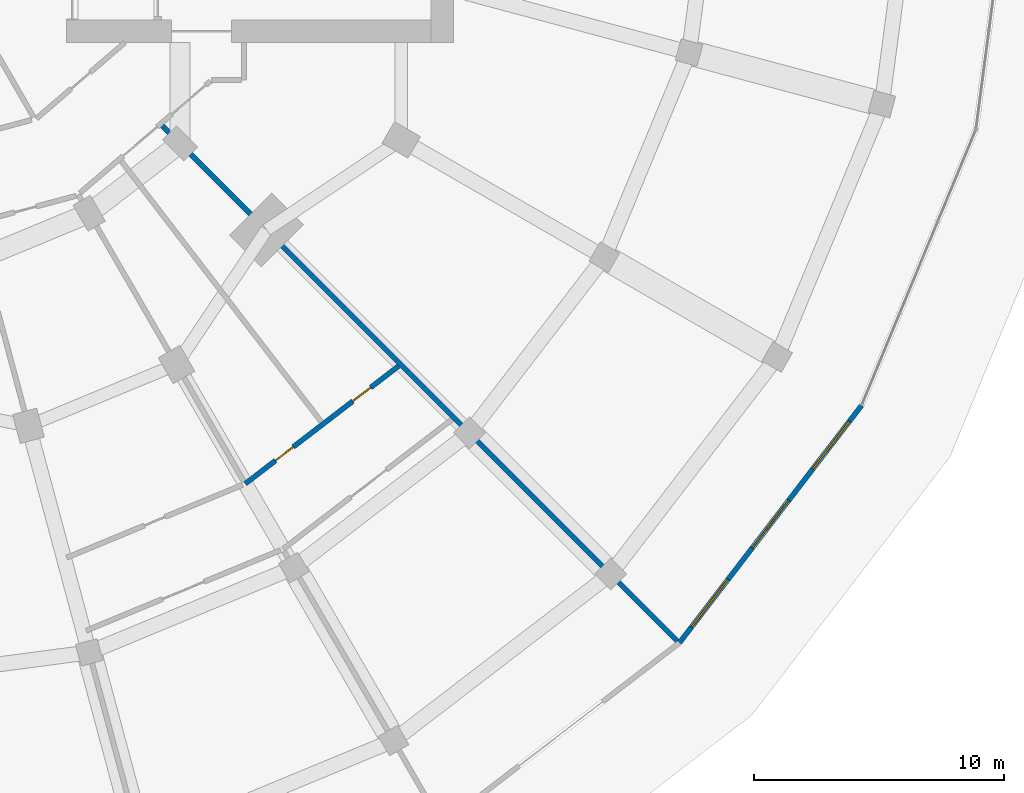
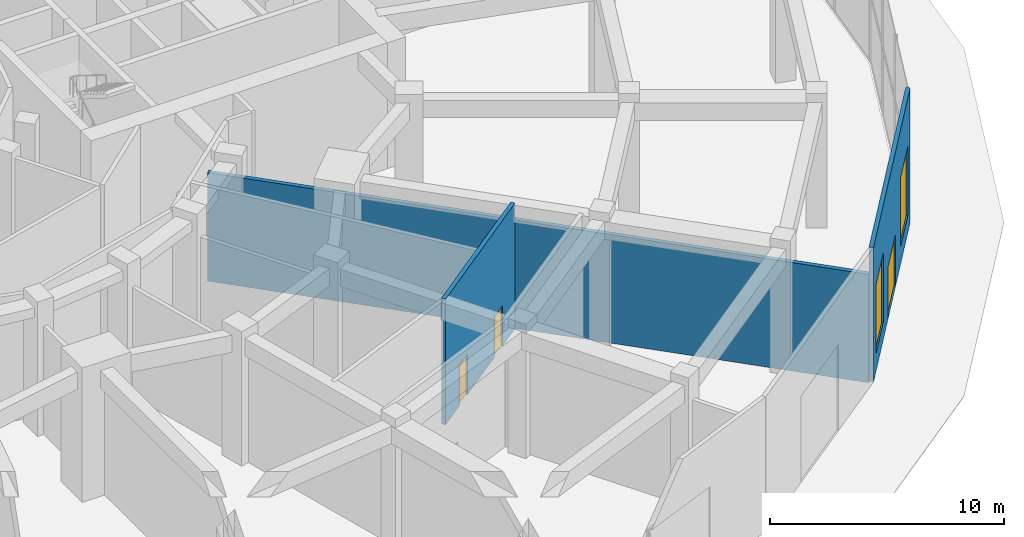
# One storey, part 24 of 31: 3 doors, 3 walls, 2 windows, 5 openings.
"""IFC4 building model written with IfcOpenShell, lengths in metres."""

import ifcopenshell
import ifcopenshell.guid

model = None  # the IFC model being written
_history = None  # IfcOwnerHistory: only IFC2X3 demands one
_inside = {}  # id of a spatial element -> (the spatial element, [elements in it])
_under = {}  # id of a project, library or spatial element -> (it, [spatial elements below it])
_declared = {}  # id of a project -> (the project, [libraries it declares])
_typed = {}  # id of a type object -> (the type object, [elements of that type])
_made_of = {}  # id of a material, layer set ... -> (it, [elements and type objects made of it])


def new_model(schema):
    """Start an empty IFC model of exactly this schema.

    Asked for "IFC4X3", IfcOpenShell would pick the latest addendum, in which some entities
    have other attributes; the version numbers below select the first issue.
    IFC2X3 requires an IfcOwnerHistory on every rooted entity: one is made here for all.
    """
    global model, _history
    if schema == "IFC4X3":
        model = ifcopenshell.file(schema_version=(4, 3, 0, 0))
    else:
        model = ifcopenshell.file(schema=schema)
    _inside.clear()
    _under.clear()
    _declared.clear()
    _typed.clear()
    _made_of.clear()
    _history = None
    if model.schema == "IFC2X3":
        org = make("IfcOrganization", Name="unknown")
        user = make(
            "IfcPersonAndOrganization",
            ThePerson=make("IfcPerson", FamilyName="unknown"),
            TheOrganization=org,
        )
        app = make(
            "IfcApplication",
            ApplicationDeveloper=org,
            Version="unknown",
            ApplicationFullName="unknown",
            ApplicationIdentifier="unknown",
        )
        _history = make(
            "IfcOwnerHistory",
            OwningUser=user,
            OwningApplication=app,
            ChangeAction="ADDED",
            CreationDate=0,
        )
    return model


def make(cls, **values):
    """One entity of the class cls with the attributes given. An attribute that is None is left unset."""
    return model.create_entity(
        cls, **{name: value for name, value in values.items() if value is not None}
    )


def rooted(cls, **values):
    """An entity with a GlobalId (a new one), such as an element, a storey or a relation."""
    return make(cls, GlobalId=ifcopenshell.guid.new(), OwnerHistory=_history, **values)


def si_unit(unit_type, name, prefix=None):
    """IfcSIUnit, for example si_unit("LENGTHUNIT", "METRE", prefix="MILLI")."""
    return make("IfcSIUnit", UnitType=unit_type, Prefix=prefix, Name=name)


def assignment(units):
    """IfcUnitAssignment: the units of a project."""
    return None if units is None else make("IfcUnitAssignment", Units=units)


def point(xyz):
    """IfcCartesianPoint."""
    return None if xyz is None else make("IfcCartesianPoint", Coordinates=xyz)


def direction(xyz):
    """IfcDirection."""
    return None if xyz is None else make("IfcDirection", DirectionRatios=xyz)


def frame(location, z_axis=None, x_axis=None):
    """IfcAxis2Placement3D, a coordinate frame: its origin and axes. An axis left out is left unset."""
    return make(
        "IfcAxis2Placement3D",
        Location=point(location),
        Axis=direction(z_axis),
        RefDirection=direction(x_axis),
    )


def frame_2d(location, x_axis=None):
    """IfcAxis2Placement2D, a coordinate frame in the plane: its origin and x axis."""
    return make(
        "IfcAxis2Placement2D", Location=point(location), RefDirection=direction(x_axis)
    )


def origin():
    """The frame at (0, 0, 0) with its axes left unset."""
    return frame((0.0, 0.0, 0.0))


def place(relative_to, where):
    """IfcLocalPlacement: puts the frame where relative to a parent placement (None: the world)."""
    return make(
        "IfcLocalPlacement", PlacementRelTo=relative_to, RelativePlacement=where
    )


def context(
    kind, dimensions, precision=None, world=None, true_north=None, identifier=None
):
    """IfcGeometricRepresentationContext, for example the 3D "Model" context."""
    return make(
        "IfcGeometricRepresentationContext",
        ContextIdentifier=identifier,
        ContextType=kind,
        CoordinateSpaceDimension=dimensions,
        Precision=precision,
        WorldCoordinateSystem=world,
        TrueNorth=true_north,
    )


def subcontext(parent, identifier, kind, view, scale=None):
    """IfcGeometricRepresentationSubContext, for example "Body" below "Model"."""
    return make(
        "IfcGeometricRepresentationSubContext",
        ContextIdentifier=identifier,
        ContextType=kind,
        ParentContext=parent,
        TargetScale=scale,
        TargetView=view,
    )


def project(units=None, contexts=None):
    """IfcProject with its units and contexts."""
    return rooted(
        "IfcProject",
        Name="project",
        RepresentationContexts=contexts,
        UnitsInContext=assignment(units),
    )


def spatial(cls, under=None, at=None, **own):
    """A site, building, storey or space (cls), placed at a placement, below another one or the project."""
    s = rooted(cls, ObjectPlacement=at, **own)
    if under is not None:
        _under.setdefault(under.id(), (under, []))[1].append(s)
    return s


def profile(cls, at=None, kind="AREA", **sizes):
    """A parametric profile (cls). Its sizes go by their IFC names, for example OverallWidth=200.0."""
    return make(cls, ProfileType=kind, Position=at, **sizes)


def rectangle(**sizes):
    """IfcRectangleProfileDef."""
    return profile("IfcRectangleProfileDef", **sizes)


def extrude(swept, where, along, depth):
    """IfcExtrudedAreaSolid: the profile swept, set in the frame where, extruded along a direction by depth."""
    return make(
        "IfcExtrudedAreaSolid",
        SweptArea=swept,
        Position=where,
        ExtrudedDirection=direction(along),
        Depth=depth,
    )


def shape(context_of_items, identifier, shape_type, items):
    """IfcShapeRepresentation: the items that make up one representation, for example the "Body"."""
    return make(
        "IfcShapeRepresentation",
        ContextOfItems=context_of_items,
        RepresentationIdentifier=identifier,
        RepresentationType=shape_type,
        Items=items,
    )


def material(Name=None, Category=None):
    """IfcMaterial."""
    return make("IfcMaterial", Name=Name, Category=Category)


def layer(
    of_material, thickness, ventilated=None, Name=None, Category=None, Priority=None
):
    """IfcMaterialLayer: one layer of a wall or slab, of a material (None: an air gap)."""
    return make(
        "IfcMaterialLayer",
        Material=of_material,
        LayerThickness=thickness,
        IsVentilated=ventilated,
        Name=Name,
        Category=Category,
        Priority=Priority,
    )


def layer_set(layers, Name=None):
    """IfcMaterialLayerSet."""
    return make("IfcMaterialLayerSet", MaterialLayers=layers, LayerSetName=Name)


def made_of(thing, what):
    """Note that an element or type object is made of a material, layer set ...; save() writes the relation."""
    if what is not None:
        _made_of.setdefault(what.id(), (what, []))[1].append(thing)
    return thing


def type_object(cls, material=None, **own):
    """A type object (cls), such as IfcWallType, which elements share."""
    return made_of(rooted(cls, **own), material)


def element(
    cls,
    number,
    at=None,
    inside=None,
    cuts=None,
    type_object=None,
    material=None,
    context=None,
    identifier="Body",
    shape_type=None,
    held_by="IfcProductDefinitionShape",
    body=None,
    shapes=None,
    **own,
):
    """One element of the class cls, such as IfcWall. Its Tag is "e" and its number.

    at: its placement. inside: the storey or other place that contains it. cuts: it is an
    opening in that element (IfcRelVoidsElement). A single representation is given by context,
    identifier, shape_type and body (its items); several are given by shapes. held_by: the class
    of the entity that holds the representations. save() writes the other relations.
    """
    e = rooted(cls, Tag="e%d" % number, ObjectPlacement=at, **own)
    if body is not None:
        shapes = [shape(context, identifier, shape_type, body)]
    if shapes is not None:
        e.Representation = make(held_by, Representations=shapes)
    if inside is not None:
        _inside.setdefault(inside.id(), (inside, []))[1].append(e)
    if cuts is not None:
        rooted(
            "IfcRelVoidsElement", RelatingBuildingElement=cuts, RelatedOpeningElement=e
        )
    if type_object is not None:
        _typed.setdefault(type_object.id(), (type_object, []))[1].append(e)
    return made_of(e, material)


def fill(opening, filler):
    """IfcRelFillsElement: the door or window that sits in an opening."""
    return rooted(
        "IfcRelFillsElement",
        RelatingOpeningElement=opening,
        RelatedBuildingElement=filler,
    )


def aggregate(whole, parts):
    """IfcRelAggregates: a whole, such as a stair, and the parts it consists of."""
    return rooted("IfcRelAggregates", RelatingObject=whole, RelatedObjects=parts)


def save(model, path):
    """Write the relations noted so far, then the file.

    IfcRelAggregates (storeys below a building ...), IfcRelContainedInSpatialStructure (elements
    in a storey), IfcRelDefinesByType, IfcRelAssociatesMaterial and IfcRelDeclares: one each for
    every whole, place, type object, material and project.
    """
    for whole, parts in _under.values():
        aggregate(whole, parts)
    for where, things in _inside.values():
        rooted(
            "IfcRelContainedInSpatialStructure",
            RelatedElements=things,
            RelatingStructure=where,
        )
    for kind, things in _typed.values():
        rooted("IfcRelDefinesByType", RelatedObjects=things, RelatingType=kind)
    for what, things in _made_of.values():
        rooted("IfcRelAssociatesMaterial", RelatedObjects=things, RelatingMaterial=what)
    for by, libraries in _declared.values():
        rooted("IfcRelDeclares", RelatingContext=by, RelatedDefinitions=libraries)
    model.write(path)


model = new_model("IFC4")

# Units and contexts
model_context = context("Model", 3, precision=1e-05, world=origin(), true_north=direction((0.0, 1.0)))
body_context = subcontext(model_context, "Body", "Model", "MODEL_VIEW")
ifc_project = project(units=[si_unit("LENGTHUNIT", "METRE"), si_unit("AREAUNIT", "SQUARE_METRE"), si_unit("VOLUMEUNIT", "CUBIC_METRE"), si_unit("PLANEANGLEUNIT", "RADIAN"), si_unit("MASSUNIT", "GRAM", prefix="KILO")], contexts=[model_context])

# Site, building, storey
site_placement = place(None, origin())
site = spatial("IfcSite", under=ifc_project, at=site_placement, CompositionType="ELEMENT")
building_placement = place(site_placement, origin())
building = spatial("IfcBuilding", under=site, at=building_placement, Name="Torre Brocal", CompositionType="ELEMENT")
storey_placement = place(building_placement, origin())
storey = spatial("IfcBuildingStorey", under=building, at=storey_placement, Name="L00", CompositionType="ELEMENT", Elevation=0.0)

# Wall, openings, door, windows
ifc_material_1 = material(Name="Concrete C40", Category="concrete")
ifc_layer_1 = layer(ifc_material_1, 0.199951171875)
ifc_layer_set_1 = layer_set([ifc_layer_1], Name="Concrete C40")
wall_type_1 = type_object("IfcWallType", Name="EXTERNAL WALL 200", PredefinedType="NOTDEFINED", material=ifc_layer_set_1)
wall_1_placement = place(storey_placement, frame((112.45556640625, 42.54443359375, 0.0), z_axis=(0.0, 0.0, 1.0), x_axis=(0.608756159021, 0.793357384068, 0.0)))
wall_1 = element("IfcWall", 1, at=wall_1_placement, inside=storey, type_object=wall_type_1, Name="EXTERNAL WALL", PredefinedType="NOTDEFINED", context=body_context, shape_type="SweptSolid", body=[
    extrude(rectangle(XDim=11.982177734375, YDim=0.199951171875, at=frame_2d((5.9912109375, 0.0))), origin(), (0.0, 0.0, 1.0), 7.0),
])
opening_1_placement = place(wall_1_placement, frame((0.797119140625, 0.0, 0.89990234375)))
opening_1 = element("IfcOpeningElement", 2, at=opening_1_placement, cuts=wall_1, Name="Opening W5", PredefinedType="OPENING", context=body_context, shape_type="SweptSolid", body=[
    extrude(rectangle(XDim=2.39990234375, YDim=3.60009765625, at=frame_2d((1.199951171875, 1.800048828125))), frame((0.0, 0.10986328125, 0.0), z_axis=(0.0, -1.0, 0.0), x_axis=(1.0, 0.0, 0.0)), (0.0, 0.0, 1.0), 0.219970703125),
])
opening_2_placement = place(wall_1_placement, frame((4.791015625, 0.0, 0.0)))
opening_2 = element("IfcOpeningElement", 3, at=opening_2_placement, cuts=wall_1, Name="Opening L00-E12", PredefinedType="OPENING", context=body_context, shape_type="SweptSolid", body=[
    extrude(rectangle(XDim=2.39990234375, YDim=2.699951171875, at=frame_2d((1.199951171875, 1.35009765625))), frame((0.0, 0.10986328125, 0.0), z_axis=(0.0, -1.0, 0.0), x_axis=(1.0, 0.0, 0.0)), (0.0, 0.0, 1.0), 0.219970703125),
])
opening_3_placement = place(wall_1_placement, frame((8.78515625, 0.0, 0.89990234375)))
opening_3 = element("IfcOpeningElement", 4, at=opening_3_placement, cuts=wall_1, Name="Opening W5", PredefinedType="OPENING", context=body_context, shape_type="SweptSolid", body=[
    extrude(rectangle(XDim=2.39990234375, YDim=3.60009765625, at=frame_2d((1.199951171875, 1.800048828125))), frame((0.0, 0.10986328125, 0.0), z_axis=(0.0, -1.0, 0.0), x_axis=(1.0, 0.0, 0.0)), (0.0, 0.0, 1.0), 0.219970703125),
])
ifc_material_2 = material(Name="Aluminium and glass", Category="aluminium")
door_type_1 = type_object("IfcDoorType", Name="ENTRANCE DOUBLE DOOR 2400X2700", OperationType="DOUBLE_DOOR_SINGLE_SWING", PredefinedType="DOOR", material=ifc_material_2)
door_1_placement = place(opening_2_placement, frame((2.39990234375, 0.0, 0.0), z_axis=(0.0, 0.0, 1.0), x_axis=(-1.0, 0.0, 0.0)))
door_1 = element("IfcDoor", 5, at=door_1_placement, inside=storey, type_object=door_type_1, Name="DOOR L00-E12", OperationType="DOUBLE_DOOR_SINGLE_SWING", OverallHeight=2.699951171875, OverallWidth=2.39990234375, PredefinedType="DOOR", context=body_context, shape_type="SweptSolid", body=[
    extrude(rectangle(XDim=2.39990234375, YDim=2.699951171875, at=frame_2d((1.199951171875, 1.35009765625))), frame((0.0, 0.02490234375, 0.0), z_axis=(0.0, -1.0, 0.0), x_axis=(1.0, 0.0, 0.0)), (0.0, 0.0, 1.0), 0.050048828125),
])
fill(opening_2, door_1)
ifc_material_3 = material(Name="Aluminium and glass", Category="aluminium")
window_type = type_object("IfcWindowType", Name="PODIUM WINDOW 2400X3600", PartitioningType="SINGLE_PANEL", PredefinedType="WINDOW", material=ifc_material_3)
window_1_placement = place(opening_1_placement, origin())
window_1 = element("IfcWindow", 6, at=window_1_placement, inside=storey, type_object=window_type, Name="PODIUM WINDOW 2400X3600", OverallHeight=3.60009765625, OverallWidth=2.39990234375, PartitioningType="SINGLE_PANEL", PredefinedType="WINDOW", context=body_context, shape_type="SweptSolid", body=[
    extrude(rectangle(XDim=2.39990234375, YDim=3.60009765625, at=frame_2d((1.199951171875, 1.800048828125))), frame((0.0, 0.030029296875, 0.0), z_axis=(0.0, -1.0, 0.0), x_axis=(1.0, 0.0, 0.0)), (0.0, 0.0, 1.0), 0.06005859375),
])
fill(opening_1, window_1)
window_2_placement = place(opening_3_placement, origin())
window_2 = element("IfcWindow", 7, at=window_2_placement, inside=storey, type_object=window_type, Name="PODIUM WINDOW 2400X3600", OverallHeight=3.60009765625, OverallWidth=2.39990234375, PartitioningType="SINGLE_PANEL", PredefinedType="WINDOW", context=body_context, shape_type="SweptSolid", body=[
    extrude(rectangle(XDim=2.39990234375, YDim=3.60009765625, at=frame_2d((1.199951171875, 1.800048828125))), frame((0.0, 0.030029296875, 0.0), z_axis=(0.0, -1.0, 0.0), x_axis=(1.0, 0.0, 0.0)), (0.0, 0.0, 1.0), 0.06005859375),
])
fill(opening_3, window_2)

# Wall, openings, doors
ifc_material_4 = material(Name="Gypsum board", Category="Gypsum")
ifc_layer_2 = layer(ifc_material_4, 0.199951171875)
ifc_layer_set_2 = layer_set([ifc_layer_2], Name="Gypsum board")
wall_type_2 = type_object("IfcWallType", Name="PARTITION 200 EI60", PredefinedType="PARTITIONING", material=ifc_layer_set_2)
wall_2_placement = place(storey_placement, frame((95.05810546875, 48.919921875, 0.0), z_axis=(0.0, 0.0, 1.0), x_axis=(0.793254408542, 0.608890337687, 0.0)))
wall_2 = element("IfcWall", 8, at=wall_2_placement, inside=storey, type_object=wall_type_2, Name="CORRIDOR WALL", PredefinedType="PARTITIONING", context=body_context, shape_type="SweptSolid", body=[
    extrude(rectangle(XDim=7.740234375, YDim=0.199951171875, at=frame_2d((3.8701171875, 0.0))), origin(), (0.0, 0.0, 1.0), 6.550048828125),
])
opening_4_placement = place(wall_2_placement, frame((1.5234375, 0.0, 0.0)))
opening_4 = element("IfcOpeningElement", 9, at=opening_4_placement, cuts=wall_2, Name="Opening PD0-D18", PredefinedType="OPENING", context=body_context, shape_type="SweptSolid", body=[
    extrude(rectangle(XDim=0.89990234375, YDim=2.10009765625, at=frame_2d((0.449951171875, 1.050048828125))), frame((0.0, 0.10986328125, 0.0), z_axis=(0.0, -1.0, 0.0), x_axis=(1.0, 0.0, 0.0)), (0.0, 0.0, 1.0), 0.219970703125),
])
opening_5_placement = place(wall_2_placement, frame((5.43359375, 0.0, 0.0)))
opening_5 = element("IfcOpeningElement", 10, at=opening_5_placement, cuts=wall_2, Name="Opening PD0-D19", PredefinedType="OPENING", context=body_context, shape_type="SweptSolid", body=[
    extrude(rectangle(XDim=0.89990234375, YDim=2.10009765625, at=frame_2d((0.449951171875, 1.050048828125))), frame((0.0, 0.10986328125, 0.0), z_axis=(0.0, -1.0, 0.0), x_axis=(1.0, 0.0, 0.0)), (0.0, 0.0, 1.0), 0.219970703125),
])
ifc_material_5 = material(Name="Timber", Category="wood")
door_type_2 = type_object("IfcDoorType", Name="ROOM DOOR 900X2100", OperationType="SINGLE_SWING_LEFT", PredefinedType="DOOR", material=ifc_material_5)
door_2_placement = place(opening_4_placement, origin())
door_2 = element("IfcDoor", 11, at=door_2_placement, inside=storey, type_object=door_type_2, Name="PD0-D18", OperationType="SINGLE_SWING_LEFT", OverallHeight=2.10009765625, OverallWidth=0.89990234375, PredefinedType="DOOR", context=body_context, shape_type="SweptSolid", body=[
    extrude(rectangle(XDim=0.89990234375, YDim=2.10009765625, at=frame_2d((0.449951171875, 1.050048828125))), frame((0.0, 0.02490234375, 0.0), z_axis=(0.0, -1.0, 0.0), x_axis=(1.0, 0.0, 0.0)), (0.0, 0.0, 1.0), 0.050048828125),
])
fill(opening_4, door_2)
door_3_placement = place(opening_5_placement, origin())
door_3 = element("IfcDoor", 12, at=door_3_placement, inside=storey, type_object=door_type_2, Name="PD0-D19", OperationType="SINGLE_SWING_RIGHT", OverallHeight=2.10009765625, OverallWidth=0.89990234375, PredefinedType="DOOR", context=body_context, shape_type="SweptSolid", body=[
    extrude(rectangle(XDim=0.89990234375, YDim=2.10009765625, at=frame_2d((0.449951171875, 1.050048828125))), frame((0.0, 0.02490234375, 0.0), z_axis=(0.0, -1.0, 0.0), x_axis=(1.0, 0.0, 0.0)), (0.0, 0.0, 1.0), 0.050048828125),
])
fill(opening_5, door_3)

# Wall
ifc_material_6 = material(Name="Gypsum board", Category="Gypsum")
ifc_layer_3 = layer(ifc_material_6, 0.199951171875)
ifc_layer_set_3 = layer_set([ifc_layer_3], Name="Gypsum board")
wall_type_3 = type_object("IfcWallType", Name="PARTITION 200 EI60 UNDER BEAM 1350", PredefinedType="PARTITIONING", material=ifc_layer_set_3)
wall_3_placement = place(storey_placement, frame((91.731689453125, 63.262939453125, 0.0), z_axis=(0.0, 0.0, 1.0), x_axis=(0.706939557171, -0.707273965665, 0.0)))
element("IfcWall", 13, at=wall_3_placement, inside=storey, type_object=wall_type_3, Name="CORRIDOR WALL", PredefinedType="PARTITIONING", context=body_context, shape_type="SweptSolid", body=[
    extrude(rectangle(XDim=29.20263671875, YDim=0.199951171875, at=frame_2d((14.601318359375, 0.0))), origin(), (0.0, 0.0, 1.0), 5.64990234375),
])

save(model, "model.ifc")
